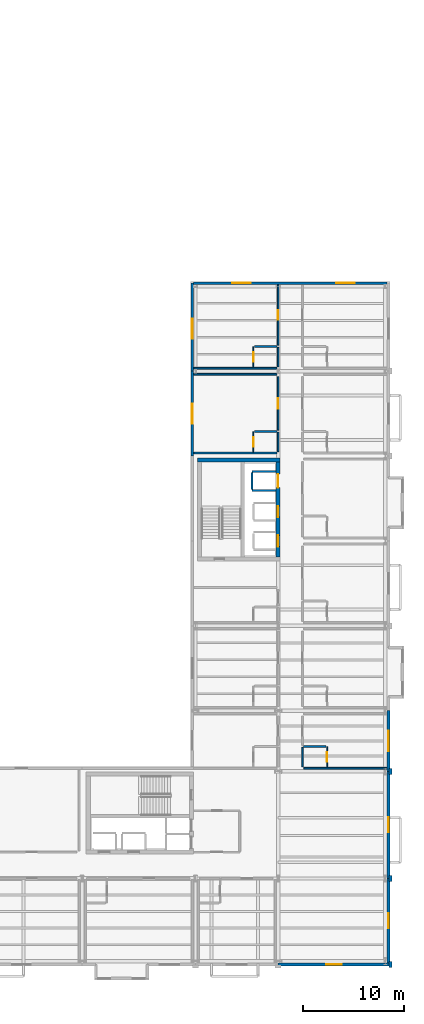
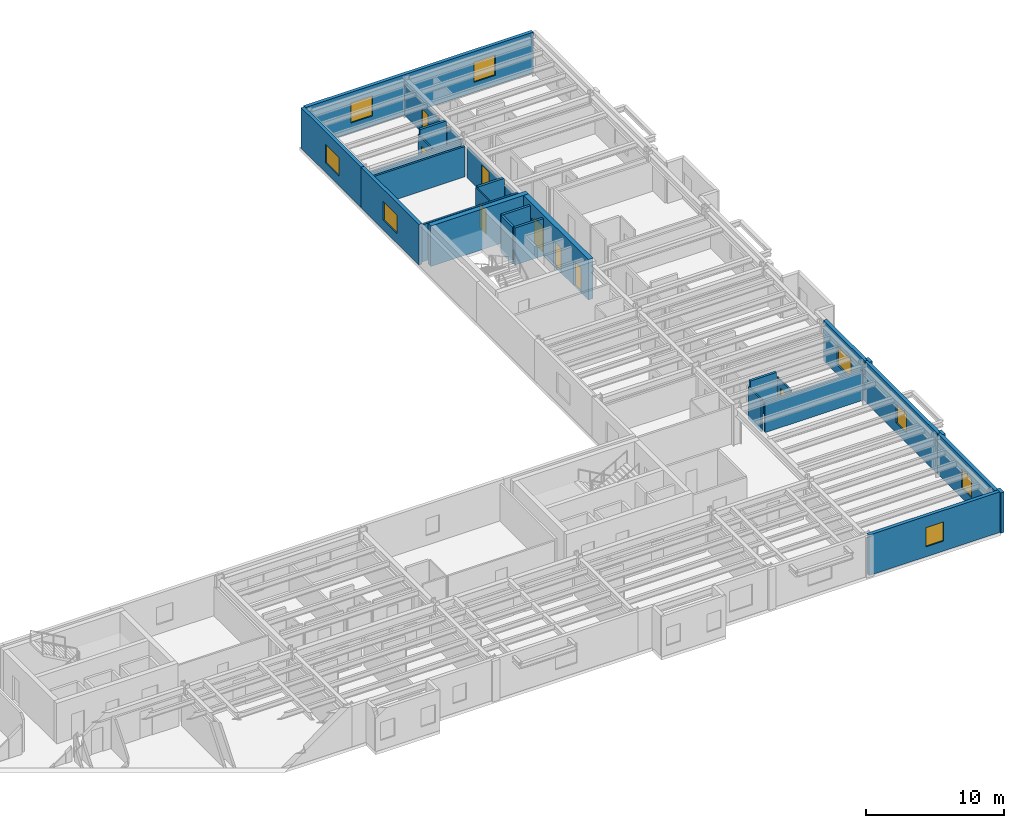
# One storey, part 20 of 27: 30 walls, 8 doors, 8 windows, 16 openings.
"""IFC4 building model written with IfcOpenShell, lengths in metres."""

from ifc_helpers import new_model, si_unit, direction, frame, frame_2d, origin, place, context, subcontext, project, spatial, rectangle, extrude, material, layer, layer_set, type_object, element, fill, save


model = new_model("IFC4")

# Units and contexts
model_context = context("Model", 3, precision=1e-05, world=origin(), true_north=direction((0.0, 1.0)))
body_context = subcontext(model_context, "Body", "Model", "MODEL_VIEW")
ifc_project = project(units=[si_unit("LENGTHUNIT", "METRE"), si_unit("AREAUNIT", "SQUARE_METRE"), si_unit("VOLUMEUNIT", "CUBIC_METRE"), si_unit("PLANEANGLEUNIT", "RADIAN"), si_unit("MASSUNIT", "GRAM", prefix="KILO")], contexts=[model_context])

# Site, building, storey
site_placement = place(None, origin())
site = spatial("IfcSite", under=ifc_project, at=site_placement, CompositionType="ELEMENT")
building_placement = place(site_placement, origin())
building = spatial("IfcBuilding", under=site, at=building_placement, Name="Sollismere Congress Hotel", CompositionType="ELEMENT")
storey_placement = place(building_placement, frame((0.0, 0.0, 27.0)))
storey = spatial("IfcBuildingStorey", under=building, at=storey_placement, Name="L06", CompositionType="ELEMENT", Elevation=27.0)

# Wall, opening, window
ifc_material_1 = material(Name="Colorado Buff Sandstone Rainscreen on Insulated Backup", Category="masonry")
ifc_layer_1 = layer(ifc_material_1, 0.284912109375, Name="Colorado Buff Sandstone Rainscreen on Insulated Backup")
ifc_layer_set_1 = layer_set([ifc_layer_1], Name="Colorado Buff Sandstone Rainscreen on Insulated Backup")
wall_type_1 = type_object("IfcWallType", Name="WL-EXT285", PredefinedType="STANDARD", material=ifc_layer_set_1)
wall_1_placement = place(storey_placement, frame((155.39990234375, -0.31005859375, 0.0), z_axis=(0.0, 0.0, 1.0), x_axis=(1.0, 0.0, 0.0)))
wall_1 = element("IfcWall", 1, at=wall_1_placement, inside=storey, type_object=wall_type_1, Name="Exterior wall EW-L06-692", PredefinedType="STANDARD", context=body_context, shape_type="SweptSolid", body=[
    extrude(rectangle(XDim=11.050048828125, YDim=0.284912109375, at=frame_2d((5.52490234375, 0.0))), origin(), (0.0, 0.0, 1.0), 3.60009765625),
])
opening_1_placement = place(wall_1_placement, frame((4.77490234375, 0.0, 0.8798828125)))
opening_1 = element("IfcOpeningElement", 2, at=opening_1_placement, cuts=wall_1, Name="Opening W-L06-510", PredefinedType="OPENING", context=body_context, shape_type="SweptSolid", body=[
    extrude(rectangle(XDim=1.5, YDim=1.699951171875, at=frame_2d((0.75, 0.85009765625))), frame((0.0, 0.15234375, 0.0), z_axis=(0.0, -1.0, 0.0), x_axis=(1.0, 0.0, 0.0)), (0.0, 0.0, 1.0), 0.304931640625),
])
ifc_material_2 = material(Name="Thermally Broken Bronze Aluminum & Low-E Glass", Category="aluminium")
window_type_1 = type_object("IfcWindowType", Name="WN-P150x170", PartitioningType="SINGLE_PANEL", PredefinedType="WINDOW", material=ifc_material_2)
window_1_placement = place(opening_1_placement, origin())
window_1 = element("IfcWindow", 3, at=window_1_placement, inside=storey, type_object=window_type_1, Name="WIN-W-L06-510", OverallHeight=1.699951171875, OverallWidth=1.5, PartitioningType="SINGLE_PANEL", PredefinedType="WINDOW", context=body_context, shape_type="SweptSolid", body=[
    extrude(rectangle(XDim=1.5, YDim=1.699951171875, at=frame_2d((0.75, 0.85009765625))), frame((0.0, 0.030029296875, 0.0), z_axis=(0.0, -1.0, 0.0), x_axis=(1.0, 0.0, 0.0)), (0.0, 0.0, 1.0), 0.06005859375),
])
fill(opening_1, window_1)

wall_2_placement = place(storey_placement, frame((166.31005859375, -0.16552734375, 0.0), z_axis=(0.0, 0.0, 1.0), x_axis=(0.0, 1.0, 0.0)))
wall_2 = element("IfcWall", 4, at=wall_2_placement, inside=storey, type_object=wall_type_1, Name="Exterior wall EW-L06-694", PredefinedType="STANDARD", context=body_context, shape_type="SweptSolid", body=[
    extrude(rectangle(XDim=8.365478515625, YDim=0.284912109375, at=frame_2d((4.1826171875, 0.0))), origin(), (0.0, 0.0, 1.0), 3.60009765625),
])
opening_2_placement = place(wall_2_placement, frame((3.4326171875, 0.0, 0.8798828125)))
opening_2 = element("IfcOpeningElement", 5, at=opening_2_placement, cuts=wall_2, Name="Opening W-L06-511", PredefinedType="OPENING", context=body_context, shape_type="SweptSolid", body=[
    extrude(rectangle(XDim=1.5, YDim=1.699951171875, at=frame_2d((0.75, 0.85009765625))), frame((0.0, 0.15234375, 0.0), z_axis=(0.0, -1.0, 0.0), x_axis=(1.0, 0.0, 0.0)), (0.0, 0.0, 1.0), 0.304931640625),
])
window_2_placement = place(opening_2_placement, origin())
window_2 = element("IfcWindow", 6, at=window_2_placement, inside=storey, type_object=window_type_1, Name="WIN-W-L06-511", OverallHeight=1.699951171875, OverallWidth=1.5, PartitioningType="SINGLE_PANEL", PredefinedType="WINDOW", context=body_context, shape_type="SweptSolid", body=[
    extrude(rectangle(XDim=1.5, YDim=1.699951171875, at=frame_2d((0.75, 0.85009765625))), frame((0.0, 0.030029296875, 0.0), z_axis=(0.0, -1.0, 0.0), x_axis=(1.0, 0.0, 0.0)), (0.0, 0.0, 1.0), 0.06005859375),
])
fill(opening_2, window_2)

wall_3_placement = place(storey_placement, frame((166.31005859375, 8.199951171875, 0.0), z_axis=(0.0, 0.0, 1.0), x_axis=(0.0, 1.0, 0.0)))
wall_3 = element("IfcWall", 7, at=wall_3_placement, inside=storey, type_object=wall_type_1, Name="Exterior wall EW-L06-696", PredefinedType="STANDARD", context=body_context, shape_type="SweptSolid", body=[
    extrude(rectangle(XDim=10.60009765625, YDim=0.284912109375, at=frame_2d((5.300048828125, 0.0))), origin(), (0.0, 0.0, 1.0), 3.60009765625),
])
opening_3_placement = place(wall_3_placement, frame((4.550048828125, 0.0, 0.8798828125)))
opening_3 = element("IfcOpeningElement", 8, at=opening_3_placement, cuts=wall_3, Name="Opening W-L06-512", PredefinedType="OPENING", context=body_context, shape_type="SweptSolid", body=[
    extrude(rectangle(XDim=1.5, YDim=1.699951171875, at=frame_2d((0.75, 0.85009765625))), frame((0.0, 0.15234375, 0.0), z_axis=(0.0, -1.0, 0.0), x_axis=(1.0, 0.0, 0.0)), (0.0, 0.0, 1.0), 0.304931640625),
])
window_3_placement = place(opening_3_placement, origin())
window_3 = element("IfcWindow", 9, at=window_3_placement, inside=storey, type_object=window_type_1, Name="WIN-W-L06-512", OverallHeight=1.699951171875, OverallWidth=1.5, PartitioningType="SINGLE_PANEL", PredefinedType="WINDOW", context=body_context, shape_type="SweptSolid", body=[
    extrude(rectangle(XDim=1.5, YDim=1.699951171875, at=frame_2d((0.75, 0.85009765625))), frame((0.0, 0.030029296875, 0.0), z_axis=(0.0, -1.0, 0.0), x_axis=(1.0, 0.0, 0.0)), (0.0, 0.0, 1.0), 0.06005859375),
])
fill(opening_3, window_3)

wall_4_placement = place(storey_placement, frame((166.31005859375, 18.800048828125, 0.0), z_axis=(0.0, 0.0, 1.0), x_axis=(0.0, 1.0, 0.0)))
wall_4 = element("IfcWall", 10, at=wall_4_placement, inside=storey, type_object=wall_type_1, Name="Exterior wall EW-L06-698", PredefinedType="STANDARD", context=body_context, shape_type="SweptSolid", body=[
    extrude(rectangle(XDim=6.0, YDim=0.284912109375, at=frame_2d((3.0, 0.0))), origin(), (0.0, 0.0, 1.0), 3.60009765625),
])
opening_4_placement = place(wall_4_placement, frame((2.0, 0.0, 0.85009765625)))
opening_4 = element("IfcOpeningElement", 11, at=opening_4_placement, cuts=wall_4, Name="Opening W-L06-513", PredefinedType="OPENING", context=body_context, shape_type="SweptSolid", body=[
    extrude(rectangle(XDim=2.0, YDim=1.64990234375, at=frame_2d((1.0, 0.824951171875))), frame((0.0, 0.15234375, 0.0), z_axis=(0.0, -1.0, 0.0), x_axis=(1.0, 0.0, 0.0)), (0.0, 0.0, 1.0), 0.304931640625),
])
window_type_2 = type_object("IfcWindowType", Name="WN-P200x165", PartitioningType="SINGLE_PANEL", PredefinedType="WINDOW", material=ifc_material_2)
window_4_placement = place(opening_4_placement, origin())
window_4 = element("IfcWindow", 12, at=window_4_placement, inside=storey, type_object=window_type_2, Name="WIN-W-L06-513", OverallHeight=1.64990234375, OverallWidth=2.0, PartitioningType="SINGLE_PANEL", PredefinedType="WINDOW", context=body_context, shape_type="SweptSolid", body=[
    extrude(rectangle(XDim=2.0, YDim=1.64990234375, at=frame_2d((1.0, 0.824951171875))), frame((0.0, 0.030029296875, 0.0), z_axis=(0.0, -1.0, 0.0), x_axis=(1.0, 0.0, 0.0)), (0.0, 0.0, 1.0), 0.06005859375),
])
fill(opening_4, window_4)

wall_5_placement = place(storey_placement, frame((146.889892578125, 50.0, 0.0), z_axis=(0.0, 0.0, 1.0), x_axis=(0.0, 1.0, 0.0)))
wall_5 = element("IfcWall", 13, at=wall_5_placement, inside=storey, type_object=wall_type_1, Name="Exterior wall EW-L06-732", PredefinedType="STANDARD", context=body_context, shape_type="SweptSolid", body=[
    extrude(rectangle(XDim=8.39990234375, YDim=0.284912109375, at=frame_2d((4.199951171875, 0.0))), origin(), (0.0, 0.0, 1.0), 3.60009765625),
])
opening_5_placement = place(wall_5_placement, frame((3.199951171875, 0.0, 0.85009765625)))
opening_5 = element("IfcOpeningElement", 14, at=opening_5_placement, cuts=wall_5, Name="Opening W-L06-534", PredefinedType="OPENING", context=body_context, shape_type="SweptSolid", body=[
    extrude(rectangle(XDim=2.0, YDim=1.64990234375, at=frame_2d((1.0, 0.824951171875))), frame((0.0, 0.15234375, 0.0), z_axis=(0.0, -1.0, 0.0), x_axis=(1.0, 0.0, 0.0)), (0.0, 0.0, 1.0), 0.304931640625),
])
window_5_placement = place(opening_5_placement, origin())
window_5 = element("IfcWindow", 15, at=window_5_placement, inside=storey, type_object=window_type_2, Name="WIN-W-L06-534", OverallHeight=1.64990234375, OverallWidth=2.0, PartitioningType="SINGLE_PANEL", PredefinedType="WINDOW", context=body_context, shape_type="SweptSolid", body=[
    extrude(rectangle(XDim=2.0, YDim=1.64990234375, at=frame_2d((1.0, 0.824951171875))), frame((0.0, 0.030029296875, 0.0), z_axis=(0.0, -1.0, 0.0), x_axis=(1.0, 0.0, 0.0)), (0.0, 0.0, 1.0), 0.06005859375),
])
fill(opening_5, window_5)

wall_6_placement = place(storey_placement, frame((146.889892578125, 58.39990234375, 0.0), z_axis=(0.0, 0.0, 1.0), x_axis=(0.0, 1.0, 0.0)))
wall_6 = element("IfcWall", 16, at=wall_6_placement, inside=storey, type_object=wall_type_1, Name="Exterior wall EW-L06-733", PredefinedType="STANDARD", context=body_context, shape_type="SweptSolid", body=[
    extrude(rectangle(XDim=8.710205078125, YDim=0.284912109375, at=frame_2d((4.35498046875, 0.0))), origin(), (0.0, 0.0, 1.0), 3.60009765625),
])
opening_6_placement = place(wall_6_placement, frame((3.199951171875, 0.0, 0.85009765625)))
opening_6 = element("IfcOpeningElement", 17, at=opening_6_placement, cuts=wall_6, Name="Opening W-L06-535", PredefinedType="OPENING", context=body_context, shape_type="SweptSolid", body=[
    extrude(rectangle(XDim=2.0, YDim=1.64990234375, at=frame_2d((1.0, 0.824951171875))), frame((0.0, 0.15234375, 0.0), z_axis=(0.0, -1.0, 0.0), x_axis=(1.0, 0.0, 0.0)), (0.0, 0.0, 1.0), 0.304931640625),
])
window_6_placement = place(opening_6_placement, origin())
window_6 = element("IfcWindow", 18, at=window_6_placement, inside=storey, type_object=window_type_2, Name="WIN-W-L06-535", OverallHeight=1.64990234375, OverallWidth=2.0, PartitioningType="SINGLE_PANEL", PredefinedType="WINDOW", context=body_context, shape_type="SweptSolid", body=[
    extrude(rectangle(XDim=2.0, YDim=1.64990234375, at=frame_2d((1.0, 0.824951171875))), frame((0.0, 0.030029296875, 0.0), z_axis=(0.0, -1.0, 0.0), x_axis=(1.0, 0.0, 0.0)), (0.0, 0.0, 1.0), 0.06005859375),
])
fill(opening_6, window_6)

# Wall, openings, windows
wall_7_placement = place(storey_placement, frame((166.16552734375, 67.110107421875, 0.0), z_axis=(0.0, 0.0, 1.0), x_axis=(-1.0, 0.0, 0.0)))
wall_7 = element("IfcWall", 19, at=wall_7_placement, inside=storey, type_object=wall_type_1, Name="Exterior wall EW-L06-736", PredefinedType="STANDARD", context=body_context, shape_type="SweptSolid", body=[
    extrude(rectangle(XDim=19.131103515625, YDim=0.284912109375, at=frame_2d((9.5654296875, 0.0))), origin(), (0.0, 0.0, 1.0), 3.60009765625),
])
opening_7_placement = place(wall_7_placement, frame((3.199951171875, 0.0, 0.8798828125)))
opening_7 = element("IfcOpeningElement", 20, at=opening_7_placement, cuts=wall_7, Name="Opening W-L06-538", PredefinedType="OPENING", context=body_context, shape_type="SweptSolid", body=[
    extrude(rectangle(XDim=1.800048828125, YDim=1.800048828125, at=frame_2d((0.89990234375, 0.89990234375))), frame((0.0, 0.15234375, 0.0), z_axis=(0.0, -1.0, 0.0), x_axis=(1.0, 0.0, 0.0)), (0.0, 0.0, 1.0), 0.304931640625),
])
opening_8_placement = place(wall_7_placement, frame((13.5, 0.0, 0.8798828125)))
opening_8 = element("IfcOpeningElement", 21, at=opening_8_placement, cuts=wall_7, Name="Opening W-L06-539", PredefinedType="OPENING", context=body_context, shape_type="SweptSolid", body=[
    extrude(rectangle(XDim=1.800048828125, YDim=1.800048828125, at=frame_2d((0.89990234375, 0.89990234375))), frame((0.0, 0.15234375, 0.0), z_axis=(0.0, -1.0, 0.0), x_axis=(1.0, 0.0, 0.0)), (0.0, 0.0, 1.0), 0.304931640625),
])
window_type_3 = type_object("IfcWindowType", Name="WN-P180x180", PartitioningType="SINGLE_PANEL", PredefinedType="WINDOW", material=ifc_material_2)
window_7_placement = place(opening_7_placement, origin())
window_7 = element("IfcWindow", 22, at=window_7_placement, inside=storey, type_object=window_type_3, Name="WIN-W-L06-538", OverallHeight=1.800048828125, OverallWidth=1.800048828125, PartitioningType="SINGLE_PANEL", PredefinedType="WINDOW", context=body_context, shape_type="SweptSolid", body=[
    extrude(rectangle(XDim=1.800048828125, YDim=1.800048828125, at=frame_2d((0.89990234375, 0.89990234375))), frame((0.0, 0.030029296875, 0.0), z_axis=(0.0, -1.0, 0.0), x_axis=(1.0, 0.0, 0.0)), (0.0, 0.0, 1.0), 0.06005859375),
])
fill(opening_7, window_7)
window_8_placement = place(opening_8_placement, origin())
window_8 = element("IfcWindow", 23, at=window_8_placement, inside=storey, type_object=window_type_3, Name="WIN-W-L06-539", OverallHeight=1.800048828125, OverallWidth=1.800048828125, PartitioningType="SINGLE_PANEL", PredefinedType="WINDOW", context=body_context, shape_type="SweptSolid", body=[
    extrude(rectangle(XDim=1.800048828125, YDim=1.800048828125, at=frame_2d((0.89990234375, 0.89990234375))), frame((0.0, 0.030029296875, 0.0), z_axis=(0.0, -1.0, 0.0), x_axis=(1.0, 0.0, 0.0)), (0.0, 0.0, 1.0), 0.06005859375),
])
fill(opening_8, window_8)

# Walls
ifc_material_3 = material(Name="Carved Travertine Pilaster & Frieze Assembly", Category="masonry")
ifc_layer_2 = layer(ifc_material_3, 0.260009765625, Name="Carved Travertine Pilaster & Frieze Assembly")
ifc_layer_set_2 = layer_set([ifc_layer_2], Name="Carved Travertine Pilaster & Frieze Assembly")
wall_type_2 = type_object("IfcWallType", Name="WL-PIL280", PredefinedType="ELEMENTEDWALL", material=ifc_layer_set_2)
for number, where, z_axis, x_axis, name in (
    (24, (166.52001953125, -0.610107421875, 0.0), (0.0, 0.0, 1.0), (0.0, 1.0, 0.0), "Exterior wall EW-L06-695"),
    (25, (166.52001953125, 7.89990234375, 0.0), (0.0, 0.0, 1.0), (0.0, 1.0, 0.0), "Exterior wall EW-L06-697"),
    (26, (166.52001953125, 18.5, 0.0), (0.0, 0.0, 1.0), (0.0, 1.0, 0.0), "Exterior wall EW-L06-699"),
):
    element("IfcWall", number, at=place(storey_placement, frame(where, z_axis=z_axis, x_axis=x_axis)), inside=storey, type_object=wall_type_2, Name=name, PredefinedType="ELEMENTEDWALL", context=body_context, shape_type="SweptSolid", body=[
        extrude(rectangle(XDim=0.60009765625, YDim=0.260009765625, at=frame_2d((0.300048828125, 0.0))), origin(), (0.0, 0.0, 1.0), 3.60009765625),
    ])
ifc_material_4 = material(Name="Moisture-Resistant Shaft Gypsum Assembly")
ifc_layer_3 = layer(ifc_material_4, 0.199951171875, Name="Moisture-Resistant Shaft Gypsum Assembly")
ifc_layer_set_3 = layer_set([ifc_layer_3], Name="Moisture-Resistant Shaft Gypsum Assembly")
wall_type_3 = type_object("IfcWallType", Name="WL-PLM200", PredefinedType="PLUMBINGWALL", material=ifc_layer_set_3)
for number, where, z_axis, x_axis, name in (
    (27, (152.800048828125, 46.60498046875, 0.0), (0.0, 0.0, 1.0), (1.0, 0.0, 0.0), "Interior wall IW-L06-0487"),
    (28, (152.800048828125, 48.4951171875, 0.0), (0.0, 0.0, 1.0), (1.0, 0.0, 0.0), "Interior wall IW-L06-0488"),
):
    element("IfcWall", number, at=place(storey_placement, frame(where, z_axis=z_axis, x_axis=x_axis)), inside=storey, type_object=wall_type_3, Name=name, PredefinedType="PLUMBINGWALL", context=body_context, shape_type="SweptSolid", body=[
        extrude(rectangle(XDim=2.387939453125, YDim=0.199951171875, at=frame_2d((1.19384765625, 0.0))), origin(), (0.0, 0.0, 1.0), 3.2900390625),
    ])
wall_8_placement = place(storey_placement, frame((152.800048828125, 46.717041015625, 0.0), z_axis=(0.0, 0.0, 1.0), x_axis=(0.0, 1.0, 0.0)))
element("IfcWall", 29, at=wall_8_placement, inside=storey, type_object=wall_type_3, Name="Interior wall IW-L06-0489", PredefinedType="PLUMBINGWALL", context=body_context, shape_type="SweptSolid", body=[
    extrude(rectangle(XDim=1.666015625, YDim=0.199951171875, at=frame_2d((0.8330078125, 0.0))), origin(), (0.0, 0.0, 1.0), 3.2900390625),
])
for number, where, z_axis, x_axis, name in (
    (30, (157.919921875, 21.25, 0.0), (0.0, 0.0, 1.0), (1.0, 0.0, 0.0), "Interior wall IW-L06-2128"),
    (31, (153.070068359375, 52.449951171875, 0.0), (0.0, 0.0, 1.0), (1.0, 0.0, 0.0), "Interior wall IW-L06-2176"),
    (32, (153.070068359375, 60.85009765625, 0.0), (0.0, 0.0, 1.0), (1.0, 0.0, 0.0), "Interior wall IW-L06-2186"),
):
    element("IfcWall", number, at=place(storey_placement, frame(where, z_axis=z_axis, x_axis=x_axis)), inside=storey, type_object=wall_type_3, Name=name, PredefinedType="PLUMBINGWALL", context=body_context, shape_type="SweptSolid", body=[
        extrude(rectangle(XDim=2.2099609375, YDim=0.199951171875, at=frame_2d((1.10498046875, 0.0))), origin(), (0.0, 0.0, 1.0), 3.2900390625),
    ])

# Wall, opening, door
ifc_material_5 = material(Name="Moisture-Resistant Gypsum Partition")
ifc_layer_4 = layer(ifc_material_5, 0.10009765625, Name="Moisture-Resistant Gypsum Partition")
ifc_layer_set_4 = layer_set([ifc_layer_4], Name="Moisture-Resistant Gypsum Partition")
wall_type_4 = type_object("IfcWallType", Name="WL-PRT100", PredefinedType="PARTITIONING", material=ifc_layer_set_4)
wall_9_placement = place(storey_placement, frame((160.25, 19.194580078125, 0.0), z_axis=(0.0, 0.0, 1.0), x_axis=(0.0, 1.0, 0.0)))
wall_9 = element("IfcWall", 33, at=wall_9_placement, inside=storey, type_object=wall_type_4, Name="Interior wall IW-L06-2129", PredefinedType="PARTITIONING", context=body_context, shape_type="SweptSolid", body=[
    extrude(rectangle(XDim=2.015380859375, YDim=0.10009765625, at=frame_2d((1.0078125, 0.0))), origin(), (0.0, 0.0, 1.0), 2.847900390625),
])
opening_9_placement = place(wall_9_placement, frame((0.530029296875, 0.0, 0.0)))
opening_9 = element("IfcOpeningElement", 34, at=opening_9_placement, cuts=wall_9, Name="Opening D-L06-0751", PredefinedType="OPENING", context=body_context, shape_type="SweptSolid", body=[
    extrude(rectangle(XDim=0.955078125, YDim=2.139892578125, at=frame_2d((0.4775390625, 1.06982421875))), frame((0.0, 0.06005859375, 0.0), z_axis=(0.0, -1.0, 0.0), x_axis=(1.0, 0.0, 0.0)), (0.0, 0.0, 1.0), 0.1201171875),
])
ifc_material_6 = material(Name="Moisture-Sealed Timber Bathroom Door", Category="wood")
door_type_1 = type_object("IfcDoorType", Name="DR-BT04", OperationType="NOTDEFINED", PredefinedType="DOOR", material=ifc_material_6)
door_1_placement = place(opening_9_placement, origin())
door_1 = element("IfcDoor", 35, at=door_1_placement, inside=storey, type_object=door_type_1, Name="En-suite bathroom door D-L06-0751", OperationType="SINGLE_SWING_RIGHT", OverallHeight=2.139892578125, OverallWidth=0.955078125, PredefinedType="DOOR", context=body_context, shape_type="SweptSolid", body=[
    extrude(rectangle(XDim=0.955078125, YDim=2.139892578125, at=frame_2d((0.4775390625, 1.06982421875))), frame((0.0, 0.02490234375, 0.0), z_axis=(0.0, -1.0, 0.0), x_axis=(1.0, 0.0, 0.0)), (0.0, 0.0, 1.0), 0.050048828125),
])
fill(opening_9, door_1)

wall_10_placement = place(storey_placement, frame((152.949951171875, 50.39453125, 0.0), z_axis=(0.0, 0.0, 1.0), x_axis=(0.0, 1.0, 0.0)))
wall_10 = element("IfcWall", 36, at=wall_10_placement, inside=storey, type_object=wall_type_4, Name="Interior wall IW-L06-2177", PredefinedType="PARTITIONING", context=body_context, shape_type="SweptSolid", body=[
    extrude(rectangle(XDim=2.015380859375, YDim=0.10009765625, at=frame_2d((1.0078125, 0.0))), origin(), (0.0, 0.0, 1.0), 3.2900390625),
])
opening_10_placement = place(wall_10_placement, frame((0.530029296875, 0.0, 0.0)))
opening_10 = element("IfcOpeningElement", 37, at=opening_10_placement, cuts=wall_10, Name="Opening D-L06-0767", PredefinedType="OPENING", context=body_context, shape_type="SweptSolid", body=[
    extrude(rectangle(XDim=0.955078125, YDim=2.139892578125, at=frame_2d((0.4775390625, 1.06982421875))), frame((0.0, 0.06005859375, 0.0), z_axis=(0.0, -1.0, 0.0), x_axis=(1.0, 0.0, 0.0)), (0.0, 0.0, 1.0), 0.1201171875),
])
door_2_placement = place(opening_10_placement, origin())
door_2 = element("IfcDoor", 38, at=door_2_placement, inside=storey, type_object=door_type_1, Name="En-suite bathroom door D-L06-0767", OperationType="SINGLE_SWING_RIGHT", OverallHeight=2.139892578125, OverallWidth=0.955078125, PredefinedType="DOOR", context=body_context, shape_type="SweptSolid", body=[
    extrude(rectangle(XDim=0.955078125, YDim=2.139892578125, at=frame_2d((0.4775390625, 1.06982421875))), frame((0.0, 0.02490234375, 0.0), z_axis=(0.0, -1.0, 0.0), x_axis=(1.0, 0.0, 0.0)), (0.0, 0.0, 1.0), 0.050048828125),
])
fill(opening_10, door_2)

wall_11_placement = place(storey_placement, frame((152.949951171875, 58.79443359375, 0.0), z_axis=(0.0, 0.0, 1.0), x_axis=(0.0, 1.0, 0.0)))
wall_11 = element("IfcWall", 39, at=wall_11_placement, inside=storey, type_object=wall_type_4, Name="Interior wall IW-L06-2187", PredefinedType="PARTITIONING", context=body_context, shape_type="SweptSolid", body=[
    extrude(rectangle(XDim=2.015625, YDim=0.10009765625, at=frame_2d((1.0078125, 0.0))), origin(), (0.0, 0.0, 1.0), 2.89794921875),
])
opening_11_placement = place(wall_11_placement, frame((0.554931640625, 0.0, 0.0)))
opening_11 = element("IfcOpeningElement", 40, at=opening_11_placement, cuts=wall_11, Name="Opening D-L06-0771", PredefinedType="OPENING", context=body_context, shape_type="SweptSolid", body=[
    extrude(rectangle(XDim=0.905029296875, YDim=2.179931640625, at=frame_2d((0.45263671875, 1.08984375))), frame((0.0, 0.06005859375, 0.0), z_axis=(0.0, -1.0, 0.0), x_axis=(1.0, 0.0, 0.0)), (0.0, 0.0, 1.0), 0.1201171875),
])
door_type_2 = type_object("IfcDoorType", Name="DR-BT06", OperationType="NOTDEFINED", PredefinedType="DOOR", material=ifc_material_6)
door_3_placement = place(opening_11_placement, origin())
door_3 = element("IfcDoor", 41, at=door_3_placement, inside=storey, type_object=door_type_2, Name="En-suite bathroom door D-L06-0771", OperationType="SINGLE_SWING_RIGHT", OverallHeight=2.179931640625, OverallWidth=0.905029296875, PredefinedType="DOOR", context=body_context, shape_type="SweptSolid", body=[
    extrude(rectangle(XDim=0.905029296875, YDim=2.179931640625, at=frame_2d((0.45263671875, 1.08984375))), frame((0.0, 0.02490234375, 0.0), z_axis=(0.0, -1.0, 0.0), x_axis=(1.0, 0.0, 0.0)), (0.0, 0.0, 1.0), 0.050048828125),
])
fill(opening_11, door_3)

# Walls
ifc_material_7 = material(Name="Fire-Rated Gypsum Partition")
ifc_layer_5 = layer(ifc_material_7, 0.139892578125, Name="Fire-Rated Gypsum Partition")
ifc_layer_set_5 = layer_set([ifc_layer_5], Name="Fire-Rated Gypsum Partition")
wall_type_5 = type_object("IfcWallType", Name="WL-PRT140R", PredefinedType="PARTITIONING", material=ifc_layer_set_5)
wall_12_placement = place(storey_placement, frame((157.800048828125, 19.239990234375, 0.0), z_axis=(0.0, 0.0, 1.0), x_axis=(0.0, 1.0, 0.0)))
element("IfcWall", 42, at=wall_12_placement, inside=storey, type_object=wall_type_5, Name="Interior wall IW-L06-2124", PredefinedType="PARTITIONING", context=body_context, shape_type="SweptSolid", body=[
    extrude(rectangle(XDim=1.929931640625, YDim=0.139892578125, at=frame_2d((0.96484375, 0.0))), origin(), (0.0, 0.0, 1.0), 2.847900390625),
])
wall_13_placement = place(storey_placement, frame((155.39990234375, 50.43994140625, 0.0), z_axis=(0.0, 0.0, 1.0), x_axis=(0.0, 1.0, 0.0)))
element("IfcWall", 43, at=wall_13_placement, inside=storey, type_object=wall_type_5, Name="Interior wall IW-L06-2172", PredefinedType="PARTITIONING", context=body_context, shape_type="SweptSolid", body=[
    extrude(rectangle(XDim=1.93017578125, YDim=0.139892578125, at=frame_2d((0.965087890625, 0.0))), origin(), (0.0, 0.0, 1.0), 2.679931640625),
])

# Wall, opening, door
wall_14_placement = place(storey_placement, frame((155.39990234375, 52.570068359375, 0.0), z_axis=(0.0, 0.0, 1.0), x_axis=(0.0, 1.0, 0.0)))
wall_14 = element("IfcWall", 44, at=wall_14_placement, inside=storey, type_object=wall_type_5, Name="Interior wall IW-L06-2173", PredefinedType="PARTITIONING", context=body_context, shape_type="SweptSolid", body=[
    extrude(rectangle(XDim=5.2900390625, YDim=0.139892578125, at=frame_2d((2.64501953125, 0.0))), origin(), (0.0, 0.0, 1.0), 2.679931640625),
])
opening_12_placement = place(wall_14_placement, frame((2.125, 0.0, 0.0)))
opening_12 = element("IfcOpeningElement", 45, at=opening_12_placement, cuts=wall_14, Name="Opening D-L06-0766", PredefinedType="OPENING", context=body_context, shape_type="SweptSolid", body=[
    extrude(rectangle(XDim=1.0400390625, YDim=2.39990234375, at=frame_2d((0.52001953125, 1.199951171875))), frame((0.0, 0.079833984375, 0.0), z_axis=(0.0, -1.0, 0.0), x_axis=(1.0, 0.0, 0.0)), (0.0, 0.0, 1.0), 0.159912109375),
])
ifc_material_8 = material(Name="Solid-Core Acoustic Walnut Guestroom Entry Door")
door_type_3 = type_object("IfcDoorType", Name="DR-KY11", OperationType="NOTDEFINED", PredefinedType="DOOR", material=ifc_material_8)
door_4_placement = place(opening_12_placement, origin())
door_4 = element("IfcDoor", 46, at=door_4_placement, inside=storey, type_object=door_type_3, Name="Hotel room entry door D-L06-0766", OperationType="SINGLE_SWING_LEFT", OverallHeight=2.39990234375, OverallWidth=1.0400390625, PredefinedType="DOOR", context=body_context, shape_type="SweptSolid", body=[
    extrude(rectangle(XDim=1.0400390625, YDim=2.39990234375, at=frame_2d((0.52001953125, 1.199951171875))), frame((0.0, 0.02490234375, 0.0), z_axis=(0.0, -1.0, 0.0), x_axis=(1.0, 0.0, 0.0)), (0.0, 0.0, 1.0), 0.050048828125),
])
fill(opening_12, door_4)

# Wall
wall_15_placement = place(storey_placement, frame((155.39990234375, 58.840087890625, 0.0), z_axis=(0.0, 0.0, 1.0), x_axis=(0.0, 1.0, 0.0)))
element("IfcWall", 47, at=wall_15_placement, inside=storey, type_object=wall_type_5, Name="Interior wall IW-L06-2183", PredefinedType="PARTITIONING", context=body_context, shape_type="SweptSolid", body=[
    extrude(rectangle(XDim=1.929931640625, YDim=0.139892578125, at=frame_2d((0.96484375, 0.0))), origin(), (0.0, 0.0, 1.0), 2.763916015625),
])

# Wall, opening, door
wall_16_placement = place(storey_placement, frame((155.39990234375, 60.969970703125, 0.0), z_axis=(0.0, 0.0, 1.0), x_axis=(0.0, 1.0, 0.0)))
wall_16 = element("IfcWall", 48, at=wall_16_placement, inside=storey, type_object=wall_type_5, Name="Interior wall IW-L06-2184", PredefinedType="PARTITIONING", context=body_context, shape_type="SweptSolid", body=[
    extrude(rectangle(XDim=5.982421875, YDim=0.139892578125, at=frame_2d((2.9912109375, 0.0))), origin(), (0.0, 0.0, 1.0), 2.702880859375),
])
opening_13_placement = place(wall_16_placement, frame((2.531005859375, 0.0, 0.0)))
opening_13 = element("IfcOpeningElement", 49, at=opening_13_placement, cuts=wall_16, Name="Opening D-L06-0770", PredefinedType="OPENING", context=body_context, shape_type="SweptSolid", body=[
    extrude(rectangle(XDim=0.919921875, YDim=2.14990234375, at=frame_2d((0.4599609375, 1.074951171875))), frame((0.0, 0.079833984375, 0.0), z_axis=(0.0, -1.0, 0.0), x_axis=(1.0, 0.0, 0.0)), (0.0, 0.0, 1.0), 0.159912109375),
])
door_type_4 = type_object("IfcDoorType", Name="DR-KY01", OperationType="NOTDEFINED", PredefinedType="DOOR", material=ifc_material_8)
door_5_placement = place(opening_13_placement, origin())
door_5 = element("IfcDoor", 50, at=door_5_placement, inside=storey, type_object=door_type_4, Name="Hotel room entry door D-L06-0770", OperationType="SINGLE_SWING_LEFT", OverallHeight=2.14990234375, OverallWidth=0.919921875, PredefinedType="DOOR", context=body_context, shape_type="SweptSolid", body=[
    extrude(rectangle(XDim=0.919921875, YDim=2.14990234375, at=frame_2d((0.4599609375, 1.074951171875))), frame((0.0, 0.02490234375, 0.0), z_axis=(0.0, -1.0, 0.0), x_axis=(1.0, 0.0, 0.0)), (0.0, 0.0, 1.0), 0.050048828125),
])
fill(opening_13, door_5)

# Walls
ifc_material_9 = material(Name="Fire-Rated Acoustic Gypsum Partition")
ifc_layer_6 = layer(ifc_material_9, 0.1650390625, Name="Fire-Rated Acoustic Gypsum Partition")
ifc_layer_set_6 = layer_set([ifc_layer_6], Name="Fire-Rated Acoustic Gypsum Partition")
wall_type_6 = type_object("IfcWallType", Name="WL-PRT165R", PredefinedType="PARTITIONING", material=ifc_layer_set_6)
wall_17_placement = place(storey_placement, frame((157.93994140625, 19.10009765625, 0.0), z_axis=(0.0, 0.0, 1.0), x_axis=(1.0, 0.0, 0.0)))
element("IfcWall", 51, at=wall_17_placement, inside=storey, type_object=wall_type_6, Name="Interior wall IW-L06-2126", PredefinedType="PARTITIONING", context=body_context, shape_type="SweptSolid", body=[
    extrude(rectangle(XDim=8.212646484375, YDim=0.1650390625, at=frame_2d((4.1064453125, 0.0))), origin(), (0.0, 0.0, 1.0), 2.679931640625),
])
wall_18_placement = place(storey_placement, frame((147.047607421875, 50.300048828125, 0.0), z_axis=(0.0, 0.0, 1.0), x_axis=(1.0, 0.0, 0.0)))
element("IfcWall", 52, at=wall_18_placement, inside=storey, type_object=wall_type_6, Name="Interior wall IW-L06-2174", PredefinedType="PARTITIONING", context=body_context, shape_type="SweptSolid", body=[
    extrude(rectangle(XDim=8.21240234375, YDim=0.1650390625, at=frame_2d((4.106201171875, 0.0))), origin(), (0.0, 0.0, 1.0), 3.2900390625),
])
for number, where, z_axis, x_axis, name in (
    (53, (147.047607421875, 58.10009765625, 0.0), (0.0, 0.0, 1.0), (1.0, 0.0, 0.0), "Interior wall IW-L06-2175"),
    (54, (147.047607421875, 58.699951171875, 0.0), (0.0, 0.0, 1.0), (1.0, 0.0, 0.0), "Interior wall IW-L06-2185"),
):
    element("IfcWall", number, at=place(storey_placement, frame(where, z_axis=z_axis, x_axis=x_axis)), inside=storey, type_object=wall_type_6, Name=name, PredefinedType="PARTITIONING", context=body_context, shape_type="SweptSolid", body=[
        extrude(rectangle(XDim=8.21240234375, YDim=0.1650390625, at=frame_2d((4.106201171875, 0.0))), origin(), (0.0, 0.0, 1.0), 2.702880859375),
    ])
ifc_material_10 = material(Name="Concrete C50/60", Category="concrete")
ifc_layer_7 = layer(ifc_material_10, 0.39990234375, Name="Concrete C50/60")
ifc_layer_set_7 = layer_set([ifc_layer_7], Name="Concrete C50/60")
wall_type_7 = type_object("IfcWallType", Name="WL-SHR400", PredefinedType="SHEAR", material=ifc_layer_set_7)
wall_19_placement = place(storey_placement, frame((155.60009765625, 49.60009765625, 0.0), z_axis=(0.0, 0.0, 1.0), x_axis=(-1.0, 0.0, 0.0)))
element("IfcWall", 55, at=wall_19_placement, inside=storey, type_object=wall_type_7, Name="Interior wall IW-L06-0477", PredefinedType="SHEAR", context=body_context, shape_type="SweptSolid", body=[
    extrude(rectangle(XDim=8.2001953125, YDim=0.39990234375, at=frame_2d((4.10009765625, 0.0))), origin(), (0.0, 0.0, 1.0), 3.60009765625),
])

# Wall, openings, doors
wall_20_placement = place(storey_placement, frame((155.39990234375, 40.0, 0.0), z_axis=(0.0, 0.0, 1.0), x_axis=(0.0, 1.0, 0.0)))
wall_20 = element("IfcWall", 56, at=wall_20_placement, inside=storey, type_object=wall_type_7, Name="Interior wall IW-L06-0479", PredefinedType="SHEAR", context=body_context, shape_type="SweptSolid", body=[
    extrude(rectangle(XDim=9.39990234375, YDim=0.39990234375, at=frame_2d((4.699951171875, 0.0))), origin(), (0.0, 0.0, 1.0), 3.60009765625),
])
opening_14_placement = place(wall_20_placement, frame((1.050048828125, 0.0, 0.0)))
opening_14 = element("IfcOpeningElement", 57, at=opening_14_placement, cuts=wall_20, Name="Opening LD-LP-05-L06", PredefinedType="OPENING", context=body_context, shape_type="SweptSolid", body=[
    extrude(rectangle(XDim=1.10009765625, YDim=2.199951171875, at=frame_2d((0.550048828125, 1.10009765625))), frame((0.0, 0.2099609375, 0.0), z_axis=(0.0, -1.0, 0.0), x_axis=(1.0, 0.0, 0.0)), (0.0, 0.0, 1.0), 0.419921875),
])
opening_15_placement = place(wall_20_placement, frame((3.949951171875, 0.0, 0.0)))
opening_15 = element("IfcOpeningElement", 58, at=opening_15_placement, cuts=wall_20, Name="Opening LD-LP-06-L06", PredefinedType="OPENING", context=body_context, shape_type="SweptSolid", body=[
    extrude(rectangle(XDim=1.10009765625, YDim=2.199951171875, at=frame_2d((0.550048828125, 1.10009765625))), frame((0.0, 0.2099609375, 0.0), z_axis=(0.0, -1.0, 0.0), x_axis=(1.0, 0.0, 0.0)), (0.0, 0.0, 1.0), 0.419921875),
])
opening_16_placement = place(wall_20_placement, frame((6.875, 0.0, 0.0)))
opening_16 = element("IfcOpeningElement", 59, at=opening_16_placement, cuts=wall_20, Name="Opening LD-LS-02-L06", PredefinedType="OPENING", context=body_context, shape_type="SweptSolid", body=[
    extrude(rectangle(XDim=1.35009765625, YDim=2.300048828125, at=frame_2d((0.675048828125, 1.14990234375))), frame((0.0, 0.2099609375, 0.0), z_axis=(0.0, -1.0, 0.0), x_axis=(1.0, 0.0, 0.0)), (0.0, 0.0, 1.0), 0.419921875),
])
ifc_material_11 = material(Name="Brushed Bronze Sliding Elevator Landing Door")
door_type_5 = type_object("IfcDoorType", Name="DR-LD110", OperationType="NOTDEFINED", PredefinedType="DOOR", material=ifc_material_11)
door_6_placement = place(opening_14_placement, origin())
door_6 = element("IfcDoor", 60, at=door_6_placement, inside=storey, type_object=door_type_5, Name="Elevator landing door LD-LP-05-L06", OperationType="SLIDING_TO_LEFT", OverallHeight=2.199951171875, OverallWidth=1.10009765625, PredefinedType="DOOR", context=body_context, shape_type="SweptSolid", body=[
    extrude(rectangle(XDim=1.10009765625, YDim=2.199951171875, at=frame_2d((0.550048828125, 1.10009765625))), frame((0.0, 0.02490234375, 0.0), z_axis=(0.0, -1.0, 0.0), x_axis=(1.0, 0.0, 0.0)), (0.0, 0.0, 1.0), 0.050048828125),
])
fill(opening_14, door_6)
door_7_placement = place(opening_15_placement, origin())
door_7 = element("IfcDoor", 61, at=door_7_placement, inside=storey, type_object=door_type_5, Name="Elevator landing door LD-LP-06-L06", OperationType="SLIDING_TO_RIGHT", OverallHeight=2.199951171875, OverallWidth=1.10009765625, PredefinedType="DOOR", context=body_context, shape_type="SweptSolid", body=[
    extrude(rectangle(XDim=1.10009765625, YDim=2.199951171875, at=frame_2d((0.550048828125, 1.10009765625))), frame((0.0, 0.02490234375, 0.0), z_axis=(0.0, -1.0, 0.0), x_axis=(1.0, 0.0, 0.0)), (0.0, 0.0, 1.0), 0.050048828125),
])
fill(opening_15, door_7)
ifc_material_12 = material(Name="Heavy-Duty Stainless Sliding Service Landing Door")
door_type_6 = type_object("IfcDoorType", Name="DR-LD135", OperationType="NOTDEFINED", PredefinedType="DOOR", material=ifc_material_12)
door_8_placement = place(opening_16_placement, origin())
door_8 = element("IfcDoor", 62, at=door_8_placement, inside=storey, type_object=door_type_6, Name="Elevator landing door LD-LS-02-L06", OperationType="SLIDING_TO_LEFT", OverallHeight=2.300048828125, OverallWidth=1.35009765625, PredefinedType="DOOR", context=body_context, shape_type="SweptSolid", body=[
    extrude(rectangle(XDim=1.35009765625, YDim=2.300048828125, at=frame_2d((0.675048828125, 1.14990234375))), frame((0.0, 0.02490234375, 0.0), z_axis=(0.0, -1.0, 0.0), x_axis=(1.0, 0.0, 0.0)), (0.0, 0.0, 1.0), 0.050048828125),
])
fill(opening_16, door_8)

save(model, "model.ifc")
